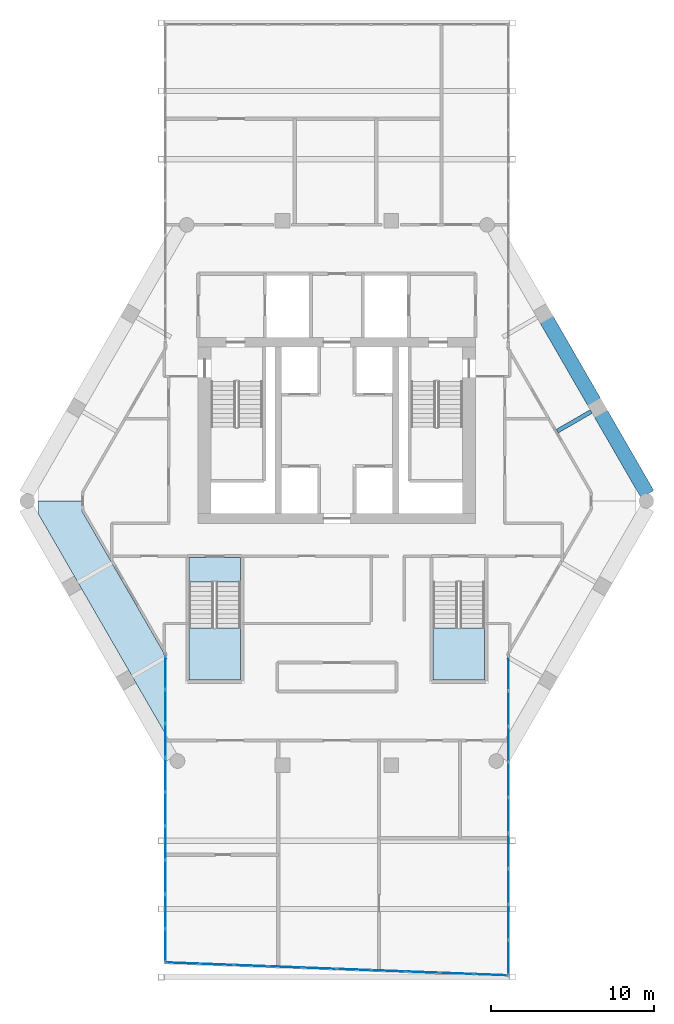
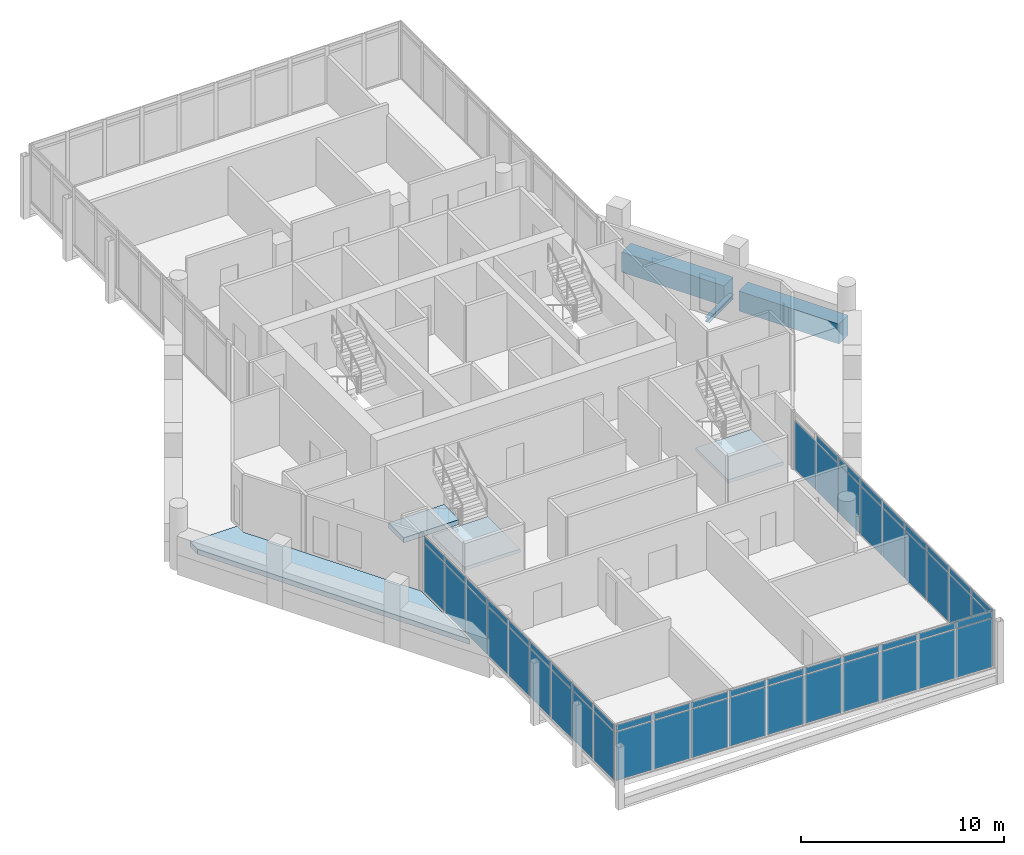
# One storey, part 18 of 25: 55 plates, 4 slabs, 3 beams, 5 elements without a shape of their own.
"""IFC4 building model written with IfcOpenShell, lengths in metres."""

from ifc_helpers import new_model, si_unit, direction, frame, origin, origin_2d, place, context, subcontext, project, spatial, polyline, rectangle, i_section, outline, extrude, material, layer, layer_set, material_profile, profile_set, type_object, element, aggregate, save


model = new_model("IFC4")

# Units and contexts
model_context = context("Model", 3, precision=1e-05, world=origin(), true_north=direction((0.0, 1.0)))
body_context = subcontext(model_context, "Body", "Model", "MODEL_VIEW")
ifc_project = project(units=[si_unit("LENGTHUNIT", "METRE"), si_unit("AREAUNIT", "SQUARE_METRE"), si_unit("VOLUMEUNIT", "CUBIC_METRE"), si_unit("PLANEANGLEUNIT", "RADIAN"), si_unit("MASSUNIT", "GRAM", prefix="KILO")], contexts=[model_context])

# Site, building, storey
site_placement = place(None, origin())
site = spatial("IfcSite", under=ifc_project, at=site_placement, CompositionType="ELEMENT")
building_placement = place(site_placement, origin())
building = spatial("IfcBuilding", under=site, at=building_placement, Name="Ostrander Bayou Hotel Tower", CompositionType="ELEMENT")
storey_placement = place(building_placement, frame((0.0, 0.0, 229.5)))
storey = spatial("IfcBuildingStorey", under=building, at=storey_placement, Name="L57", CompositionType="ELEMENT", Elevation=229.5)

# Beams
ifc_material_1 = material(Name="Steel ASTM A992", Category="steel")
ifc_material_profile_1 = material_profile(ifc_material_1, i_section(OverallWidth=0.25390625, OverallDepth=0.25341796875, WebThickness=0.008544921875, FlangeThickness=0.01416015625, at=origin_2d()))
ifc_profile_set_1 = profile_set([ifc_material_profile_1], Name="Steel ASTM A992")
beam_type_1 = type_object("IfcBeamType", Name="LB2 loggia bracket W10x49", PredefinedType="BEAM", material=ifc_profile_set_1)
beam_1_placement = place(storey_placement, frame((15.583984375, 5.153076171875, -0.4267578125), z_axis=(-0.865980596518, -0.500077600433, 0.0), x_axis=(0.500077600433, -0.865980596518, 0.0)))
element("IfcBeam", 1, at=beam_1_placement, inside=storey, type_object=beam_type_1, Name="LB2 L57 NE1", PredefinedType="BEAM", context=body_context, shape_type="SweptSolid", body=[
    extrude(i_section(OverallWidth=0.25390625, OverallDepth=0.25341796875, WebThickness=0.008544921875, FlangeThickness=0.01416015625, at=origin_2d()), origin(), (0.0, 0.0, 1.0), 2.39990234375),
])
ifc_material_2 = material(Name="Concrete f'c 60 MPa", Category="concrete")
ifc_material_profile_2 = material_profile(ifc_material_2, rectangle(XDim=0.89990234375, YDim=1.199951171875, at=origin_2d()))
ifc_profile_set_2 = profile_set([ifc_material_profile_2], Name="Concrete f'c 60 MPa")
beam_type_2 = type_object("IfcBeamType", Name="SP4 spandrel beam 900 x 1200 mm f'c 60 MPa", PredefinedType="SPANDREL", material=ifc_profile_set_2)
beam_2_placement = place(storey_placement, frame((19.024169921875, 0.0947265625, -0.60009765625), z_axis=(-0.499994028088, 0.866028851642, 0.0), x_axis=(-0.866028851642, -0.499994028088, 0.0)))
element("IfcBeam", 2, at=beam_2_placement, inside=storey, type_object=beam_type_2, Name="SP4 L57 NE-1", PredefinedType="SPANDREL", context=body_context, shape_type="SweptSolid", body=[
    extrude(rectangle(XDim=0.89990234375, YDim=1.199951171875, at=origin_2d()), origin(), (0.0, 0.0, 1.0), 5.6806640625),
])
beam_3_placement = place(storey_placement, frame((15.763916015625, 5.74169921875, -0.60009765625), z_axis=(-0.499997265274, 0.866026982673, 0.0), x_axis=(-0.866026982673, -0.499997265274, 0.0)))
element("IfcBeam", 3, at=beam_3_placement, inside=storey, type_object=beam_type_2, Name="SP4 L57 NE-2", PredefinedType="SPANDREL", context=body_context, shape_type="SweptSolid", body=[
    extrude(rectangle(XDim=0.89990234375, YDim=1.199951171875, at=origin_2d()), origin(), (0.0, 0.0, 1.0), 5.81884765625),
])

# Curtain wall, plates
ifc_material_3 = material(Name="Aluminium and clear glass", Category="aluminium")
curtain_wall_type = type_object("IfcCurtainWallType", Name="CW-BAR glazed wall", PredefinedType="NOTDEFINED", material=ifc_material_3)
curtain_wall_1_placement = place(storey_placement, origin())
curtain_wall_1 = element("IfcCurtainWall", 4, at=curtain_wall_1_placement, inside=storey, type_object=curtain_wall_type, Name="CW-BAR L57:SB5S:E", PredefinedType="NOTDEFINED")
ifc_material_4 = material(Name="Clear laminated glass", Category="glass")
ifc_layer_1 = layer(ifc_material_4, 0.028076171875)
ifc_layer_set_1 = layer_set([ifc_layer_1], Name="CW-BR glazing panel 28 mm")
plate_type = type_object("IfcPlateType", Name="CW-BR glazing panel 28 mm", PredefinedType="CURTAIN_PANEL", material=ifc_layer_set_1)
plate_1_placement = place(storey_placement, frame((-10.51220703125, -10.852294921875, 0.06005859375), z_axis=(0.0, 0.0, 1.0), x_axis=(0.0, -1.0, 0.0)))
plate_1 = element("IfcPlate", 5, at=plate_1_placement, type_object=plate_type, Name="CW-BAR panel 1.1", PredefinedType="CURTAIN_PANEL", context=body_context, shape_type="SweptSolid", body=[
    extrude(rectangle(XDim=2.0, YDim=0.028076171875, at=origin_2d()), origin(), (0.0, 0.0, 1.0), 2.909912109375),
])
plate_2_placement = place(storey_placement, frame((-10.51220703125, -10.852294921875, 3.02978515625), z_axis=(0.0, 0.0, 1.0), x_axis=(0.0, -1.0, 0.0)))
plate_2 = element("IfcPlate", 6, at=plate_2_placement, type_object=plate_type, Name="CW-BAR panel 1.2", PredefinedType="CURTAIN_PANEL", context=body_context, shape_type="SweptSolid", body=[
    extrude(rectangle(XDim=2.0, YDim=0.028076171875, at=origin_2d()), origin(), (0.0, 0.0, 1.0), 0.360107421875),
])
plate_3_placement = place(storey_placement, frame((-10.51220703125, -12.927490234375, 0.06005859375), z_axis=(0.0, 0.0, 1.0), x_axis=(0.0, -1.0, 0.0)))
plate_3 = element("IfcPlate", 7, at=plate_3_placement, type_object=plate_type, Name="CW-BAR panel 2.1", PredefinedType="CURTAIN_PANEL", context=body_context, shape_type="SweptSolid", body=[
    extrude(rectangle(XDim=2.030029296875, YDim=0.028076171875, at=origin_2d()), origin(), (0.0, 0.0, 1.0), 2.909912109375),
])
plate_4_placement = place(storey_placement, frame((-10.51220703125, -12.927490234375, 3.02978515625), z_axis=(0.0, 0.0, 1.0), x_axis=(0.0, -1.0, 0.0)))
plate_4 = element("IfcPlate", 8, at=plate_4_placement, type_object=plate_type, Name="CW-BAR panel 2.2", PredefinedType="CURTAIN_PANEL", context=body_context, shape_type="SweptSolid", body=[
    extrude(rectangle(XDim=2.030029296875, YDim=0.028076171875, at=origin_2d()), origin(), (0.0, 0.0, 1.0), 0.360107421875),
])
plate_5_placement = place(storey_placement, frame((-10.51220703125, -15.017333984375, 0.06005859375), z_axis=(0.0, 0.0, 1.0), x_axis=(0.0, -1.0, 0.0)))
plate_5 = element("IfcPlate", 9, at=plate_5_placement, type_object=plate_type, Name="CW-BAR panel 3.1", PredefinedType="CURTAIN_PANEL", context=body_context, shape_type="SweptSolid", body=[
    extrude(rectangle(XDim=2.030029296875, YDim=0.028076171875, at=origin_2d()), origin(), (0.0, 0.0, 1.0), 2.909912109375),
])
plate_6_placement = place(storey_placement, frame((-10.51220703125, -15.017333984375, 3.02978515625), z_axis=(0.0, 0.0, 1.0), x_axis=(0.0, -1.0, 0.0)))
plate_6 = element("IfcPlate", 10, at=plate_6_placement, type_object=plate_type, Name="CW-BAR panel 3.2", PredefinedType="CURTAIN_PANEL", context=body_context, shape_type="SweptSolid", body=[
    extrude(rectangle(XDim=2.030029296875, YDim=0.028076171875, at=origin_2d()), origin(), (0.0, 0.0, 1.0), 0.360107421875),
])
plate_7_placement = place(storey_placement, frame((-10.51220703125, -17.107421875, 0.06005859375), z_axis=(0.0, 0.0, 1.0), x_axis=(0.0, -1.0, 0.0)))
plate_7 = element("IfcPlate", 11, at=plate_7_placement, type_object=plate_type, Name="CW-BAR panel 4.1", PredefinedType="CURTAIN_PANEL", context=body_context, shape_type="SweptSolid", body=[
    extrude(rectangle(XDim=2.030029296875, YDim=0.028076171875, at=origin_2d()), origin(), (0.0, 0.0, 1.0), 2.909912109375),
])
plate_8_placement = place(storey_placement, frame((-10.51220703125, -17.107421875, 3.02978515625), z_axis=(0.0, 0.0, 1.0), x_axis=(0.0, -1.0, 0.0)))
plate_8 = element("IfcPlate", 12, at=plate_8_placement, type_object=plate_type, Name="CW-BAR panel 4.2", PredefinedType="CURTAIN_PANEL", context=body_context, shape_type="SweptSolid", body=[
    extrude(rectangle(XDim=2.030029296875, YDim=0.028076171875, at=origin_2d()), origin(), (0.0, 0.0, 1.0), 0.360107421875),
])
plate_9_placement = place(storey_placement, frame((-10.51220703125, -19.197509765625, 0.06005859375), z_axis=(0.0, 0.0, 1.0), x_axis=(0.0, -1.0, 0.0)))
plate_9 = element("IfcPlate", 13, at=plate_9_placement, type_object=plate_type, Name="CW-BAR panel 5.1", PredefinedType="CURTAIN_PANEL", context=body_context, shape_type="SweptSolid", body=[
    extrude(rectangle(XDim=2.030029296875, YDim=0.028076171875, at=origin_2d()), origin(), (0.0, 0.0, 1.0), 2.909912109375),
])
plate_10_placement = place(storey_placement, frame((-10.51220703125, -19.197509765625, 3.02978515625), z_axis=(0.0, 0.0, 1.0), x_axis=(0.0, -1.0, 0.0)))
plate_10 = element("IfcPlate", 14, at=plate_10_placement, type_object=plate_type, Name="CW-BAR panel 5.2", PredefinedType="CURTAIN_PANEL", context=body_context, shape_type="SweptSolid", body=[
    extrude(rectangle(XDim=2.030029296875, YDim=0.028076171875, at=origin_2d()), origin(), (0.0, 0.0, 1.0), 0.360107421875),
])
plate_11_placement = place(storey_placement, frame((-10.51220703125, -21.28759765625, 0.06005859375), z_axis=(0.0, 0.0, 1.0), x_axis=(0.0, -1.0, 0.0)))
plate_11 = element("IfcPlate", 15, at=plate_11_placement, type_object=plate_type, Name="CW-BAR panel 6.1", PredefinedType="CURTAIN_PANEL", context=body_context, shape_type="SweptSolid", body=[
    extrude(rectangle(XDim=2.030029296875, YDim=0.028076171875, at=origin_2d()), origin(), (0.0, 0.0, 1.0), 2.909912109375),
])
plate_12_placement = place(storey_placement, frame((-10.51220703125, -21.28759765625, 3.02978515625), z_axis=(0.0, 0.0, 1.0), x_axis=(0.0, -1.0, 0.0)))
plate_12 = element("IfcPlate", 16, at=plate_12_placement, type_object=plate_type, Name="CW-BAR panel 6.2", PredefinedType="CURTAIN_PANEL", context=body_context, shape_type="SweptSolid", body=[
    extrude(rectangle(XDim=2.030029296875, YDim=0.028076171875, at=origin_2d()), origin(), (0.0, 0.0, 1.0), 0.360107421875),
])
plate_13_placement = place(storey_placement, frame((-10.51220703125, -23.377685546875, 0.06005859375), z_axis=(0.0, 0.0, 1.0), x_axis=(0.0, -1.0, 0.0)))
plate_13 = element("IfcPlate", 17, at=plate_13_placement, type_object=plate_type, Name="CW-BAR panel 7.1", PredefinedType="CURTAIN_PANEL", context=body_context, shape_type="SweptSolid", body=[
    extrude(rectangle(XDim=2.030029296875, YDim=0.028076171875, at=origin_2d()), origin(), (0.0, 0.0, 1.0), 2.909912109375),
])
plate_14_placement = place(storey_placement, frame((-10.51220703125, -23.377685546875, 3.02978515625), z_axis=(0.0, 0.0, 1.0), x_axis=(0.0, -1.0, 0.0)))
plate_14 = element("IfcPlate", 18, at=plate_14_placement, type_object=plate_type, Name="CW-BAR panel 7.2", PredefinedType="CURTAIN_PANEL", context=body_context, shape_type="SweptSolid", body=[
    extrude(rectangle(XDim=2.030029296875, YDim=0.028076171875, at=origin_2d()), origin(), (0.0, 0.0, 1.0), 0.360107421875),
])
plate_15_placement = place(storey_placement, frame((-10.51220703125, -25.4677734375, 0.06005859375), z_axis=(0.0, 0.0, 1.0), x_axis=(0.0, -1.0, 0.0)))
plate_15 = element("IfcPlate", 19, at=plate_15_placement, type_object=plate_type, Name="CW-BAR panel 8.1", PredefinedType="CURTAIN_PANEL", context=body_context, shape_type="SweptSolid", body=[
    extrude(rectangle(XDim=2.030029296875, YDim=0.028076171875, at=origin_2d()), origin(), (0.0, 0.0, 1.0), 2.909912109375),
])
plate_16_placement = place(storey_placement, frame((-10.51220703125, -25.4677734375, 3.02978515625), z_axis=(0.0, 0.0, 1.0), x_axis=(0.0, -1.0, 0.0)))
plate_16 = element("IfcPlate", 20, at=plate_16_placement, type_object=plate_type, Name="CW-BAR panel 8.2", PredefinedType="CURTAIN_PANEL", context=body_context, shape_type="SweptSolid", body=[
    extrude(rectangle(XDim=2.030029296875, YDim=0.028076171875, at=origin_2d()), origin(), (0.0, 0.0, 1.0), 0.360107421875),
])
plate_17_placement = place(storey_placement, frame((-10.51220703125, -27.542724609375, 0.06005859375), z_axis=(0.0, 0.0, 1.0), x_axis=(0.0, -1.0, 0.0)))
plate_17 = element("IfcPlate", 21, at=plate_17_placement, type_object=plate_type, Name="CW-BAR panel 9.1", PredefinedType="CURTAIN_PANEL", context=body_context, shape_type="SweptSolid", body=[
    extrude(rectangle(XDim=2.0, YDim=0.028076171875, at=origin_2d()), origin(), (0.0, 0.0, 1.0), 2.909912109375),
])
plate_18_placement = place(storey_placement, frame((-10.51220703125, -27.542724609375, 3.02978515625), z_axis=(0.0, 0.0, 1.0), x_axis=(0.0, -1.0, 0.0)))
plate_18 = element("IfcPlate", 22, at=plate_18_placement, type_object=plate_type, Name="CW-BAR panel 9.2", PredefinedType="CURTAIN_PANEL", context=body_context, shape_type="SweptSolid", body=[
    extrude(rectangle(XDim=2.0, YDim=0.028076171875, at=origin_2d()), origin(), (0.0, 0.0, 1.0), 0.360107421875),
])
aggregate(curtain_wall_1, [plate_1, plate_2, plate_3, plate_4, plate_5, plate_6, plate_7, plate_8, plate_9, plate_10, plate_11, plate_12, plate_13, plate_14, plate_15, plate_16, plate_17, plate_18])

curtain_wall_2_placement = place(storey_placement, origin())
curtain_wall_2 = element("IfcCurtainWall", 23, at=curtain_wall_2_placement, inside=storey, type_object=curtain_wall_type, Name="CW-BAR L57:SB5S:T", PredefinedType="NOTDEFINED")
plate_19_placement = place(storey_placement, frame((-9.446044921875, -28.64306640625, 0.06005859375), z_axis=(0.0, 0.0, 1.0), x_axis=(0.99928692283, -0.037757725854, 0.0)))
plate_19 = element("IfcPlate", 24, at=plate_19_placement, type_object=plate_type, Name="CW-BAR panel 1.1", PredefinedType="CURTAIN_PANEL", context=body_context, shape_type="SweptSolid", body=[
    extrude(rectangle(XDim=2.013916015625, YDim=0.028076171875, at=origin_2d()), origin(), (0.0, 0.0, 1.0), 2.909912109375),
])
plate_20_placement = place(storey_placement, frame((-9.446044921875, -28.64306640625, 3.02978515625), z_axis=(0.0, 0.0, 1.0), x_axis=(0.99928692283, -0.037757725854, 0.0)))
plate_20 = element("IfcPlate", 25, at=plate_20_placement, type_object=plate_type, Name="CW-BAR panel 1.2", PredefinedType="CURTAIN_PANEL", context=body_context, shape_type="SweptSolid", body=[
    extrude(rectangle(XDim=2.013916015625, YDim=0.028076171875, at=origin_2d()), origin(), (0.0, 0.0, 1.0), 0.360107421875),
])
plate_21_placement = place(storey_placement, frame((-7.358642578125, -28.721923828125, 0.06005859375), z_axis=(0.0, 0.0, 1.0), x_axis=(0.99928692283, -0.037757725854, 0.0)))
plate_21 = element("IfcPlate", 26, at=plate_21_placement, type_object=plate_type, Name="CW-BAR panel 2.1", PredefinedType="CURTAIN_PANEL", context=body_context, shape_type="SweptSolid", body=[
    extrude(rectangle(XDim=2.0439453125, YDim=0.028076171875, at=origin_2d()), origin(), (0.0, 0.0, 1.0), 2.909912109375),
])
plate_22_placement = place(storey_placement, frame((-7.358642578125, -28.721923828125, 3.02978515625), z_axis=(0.0, 0.0, 1.0), x_axis=(0.99928692283, -0.037757725854, 0.0)))
plate_22 = element("IfcPlate", 27, at=plate_22_placement, type_object=plate_type, Name="CW-BAR panel 2.2", PredefinedType="CURTAIN_PANEL", context=body_context, shape_type="SweptSolid", body=[
    extrude(rectangle(XDim=2.0439453125, YDim=0.028076171875, at=origin_2d()), origin(), (0.0, 0.0, 1.0), 0.360107421875),
])
plate_23_placement = place(storey_placement, frame((-5.256103515625, -28.801513671875, 0.06005859375), z_axis=(0.0, 0.0, 1.0), x_axis=(0.99928692283, -0.037757725854, 0.0)))
plate_23 = element("IfcPlate", 28, at=plate_23_placement, type_object=plate_type, Name="CW-BAR panel 3.1", PredefinedType="CURTAIN_PANEL", context=body_context, shape_type="SweptSolid", body=[
    extrude(rectangle(XDim=2.0439453125, YDim=0.028076171875, at=origin_2d()), origin(), (0.0, 0.0, 1.0), 2.909912109375),
])
plate_24_placement = place(storey_placement, frame((-5.256103515625, -28.801513671875, 3.02978515625), z_axis=(0.0, 0.0, 1.0), x_axis=(0.99928692283, -0.037757725854, 0.0)))
plate_24 = element("IfcPlate", 29, at=plate_24_placement, type_object=plate_type, Name="CW-BAR panel 3.2", PredefinedType="CURTAIN_PANEL", context=body_context, shape_type="SweptSolid", body=[
    extrude(rectangle(XDim=2.0439453125, YDim=0.028076171875, at=origin_2d()), origin(), (0.0, 0.0, 1.0), 0.360107421875),
])
plate_25_placement = place(storey_placement, frame((-3.153564453125, -28.880859375, 0.06005859375), z_axis=(0.0, 0.0, 1.0), x_axis=(0.99928692283, -0.037757725854, 0.0)))
plate_25 = element("IfcPlate", 30, at=plate_25_placement, type_object=plate_type, Name="CW-BAR panel 4.1", PredefinedType="CURTAIN_PANEL", context=body_context, shape_type="SweptSolid", body=[
    extrude(rectangle(XDim=2.0439453125, YDim=0.028076171875, at=origin_2d()), origin(), (0.0, 0.0, 1.0), 2.909912109375),
])
plate_26_placement = place(storey_placement, frame((-3.153564453125, -28.880859375, 3.02978515625), z_axis=(0.0, 0.0, 1.0), x_axis=(0.99928692283, -0.037757725854, 0.0)))
plate_26 = element("IfcPlate", 31, at=plate_26_placement, type_object=plate_type, Name="CW-BAR panel 4.2", PredefinedType="CURTAIN_PANEL", context=body_context, shape_type="SweptSolid", body=[
    extrude(rectangle(XDim=2.0439453125, YDim=0.028076171875, at=origin_2d()), origin(), (0.0, 0.0, 1.0), 0.360107421875),
])
plate_27_placement = place(storey_placement, frame((-1.05126953125, -28.960205078125, 0.06005859375), z_axis=(0.0, 0.0, 1.0), x_axis=(0.99928692283, -0.037757725854, 0.0)))
plate_27 = element("IfcPlate", 32, at=plate_27_placement, type_object=plate_type, Name="CW-BAR panel 5.1", PredefinedType="CURTAIN_PANEL", context=body_context, shape_type="SweptSolid", body=[
    extrude(rectangle(XDim=2.0439453125, YDim=0.028076171875, at=origin_2d()), origin(), (0.0, 0.0, 1.0), 2.909912109375),
])
plate_28_placement = place(storey_placement, frame((-1.05126953125, -28.960205078125, 3.02978515625), z_axis=(0.0, 0.0, 1.0), x_axis=(0.99928692283, -0.037757725854, 0.0)))
plate_28 = element("IfcPlate", 33, at=plate_28_placement, type_object=plate_type, Name="CW-BAR panel 5.2", PredefinedType="CURTAIN_PANEL", context=body_context, shape_type="SweptSolid", body=[
    extrude(rectangle(XDim=2.0439453125, YDim=0.028076171875, at=origin_2d()), origin(), (0.0, 0.0, 1.0), 0.360107421875),
])
plate_29_placement = place(storey_placement, frame((1.05126953125, -29.039794921875, 0.06005859375), z_axis=(0.0, 0.0, 1.0), x_axis=(0.99928692283, -0.037757725854, 0.0)))
plate_29 = element("IfcPlate", 34, at=plate_29_placement, type_object=plate_type, Name="CW-BAR panel 6.1", PredefinedType="CURTAIN_PANEL", context=body_context, shape_type="SweptSolid", body=[
    extrude(rectangle(XDim=2.0439453125, YDim=0.028076171875, at=origin_2d()), origin(), (0.0, 0.0, 1.0), 2.909912109375),
])
plate_30_placement = place(storey_placement, frame((1.05126953125, -29.039794921875, 3.02978515625), z_axis=(0.0, 0.0, 1.0), x_axis=(0.99928692283, -0.037757725854, 0.0)))
plate_30 = element("IfcPlate", 35, at=plate_30_placement, type_object=plate_type, Name="CW-BAR panel 6.2", PredefinedType="CURTAIN_PANEL", context=body_context, shape_type="SweptSolid", body=[
    extrude(rectangle(XDim=2.0439453125, YDim=0.028076171875, at=origin_2d()), origin(), (0.0, 0.0, 1.0), 0.360107421875),
])
plate_31_placement = place(storey_placement, frame((3.153564453125, -29.119140625, 0.06005859375), z_axis=(0.0, 0.0, 1.0), x_axis=(0.99928692283, -0.037757725854, 0.0)))
plate_31 = element("IfcPlate", 36, at=plate_31_placement, type_object=plate_type, Name="CW-BAR panel 7.1", PredefinedType="CURTAIN_PANEL", context=body_context, shape_type="SweptSolid", body=[
    extrude(rectangle(XDim=2.0439453125, YDim=0.028076171875, at=origin_2d()), origin(), (0.0, 0.0, 1.0), 2.909912109375),
])
plate_32_placement = place(storey_placement, frame((3.153564453125, -29.119140625, 3.02978515625), z_axis=(0.0, 0.0, 1.0), x_axis=(0.99928692283, -0.037757725854, 0.0)))
plate_32 = element("IfcPlate", 37, at=plate_32_placement, type_object=plate_type, Name="CW-BAR panel 7.2", PredefinedType="CURTAIN_PANEL", context=body_context, shape_type="SweptSolid", body=[
    extrude(rectangle(XDim=2.0439453125, YDim=0.028076171875, at=origin_2d()), origin(), (0.0, 0.0, 1.0), 0.360107421875),
])
plate_33_placement = place(storey_placement, frame((5.256103515625, -29.198486328125, 0.06005859375), z_axis=(0.0, 0.0, 1.0), x_axis=(0.99928692283, -0.037757725854, 0.0)))
plate_33 = element("IfcPlate", 38, at=plate_33_placement, type_object=plate_type, Name="CW-BAR panel 8.1", PredefinedType="CURTAIN_PANEL", context=body_context, shape_type="SweptSolid", body=[
    extrude(rectangle(XDim=2.0439453125, YDim=0.028076171875, at=origin_2d()), origin(), (0.0, 0.0, 1.0), 2.909912109375),
])
plate_34_placement = place(storey_placement, frame((5.256103515625, -29.198486328125, 3.02978515625), z_axis=(0.0, 0.0, 1.0), x_axis=(0.99928692283, -0.037757725854, 0.0)))
plate_34 = element("IfcPlate", 39, at=plate_34_placement, type_object=plate_type, Name="CW-BAR panel 8.2", PredefinedType="CURTAIN_PANEL", context=body_context, shape_type="SweptSolid", body=[
    extrude(rectangle(XDim=2.0439453125, YDim=0.028076171875, at=origin_2d()), origin(), (0.0, 0.0, 1.0), 0.360107421875),
])
plate_35_placement = place(storey_placement, frame((7.358642578125, -29.278076171875, 0.06005859375), z_axis=(0.0, 0.0, 1.0), x_axis=(0.99928692283, -0.037757725854, 0.0)))
plate_35 = element("IfcPlate", 40, at=plate_35_placement, type_object=plate_type, Name="CW-BAR panel 9.1", PredefinedType="CURTAIN_PANEL", context=body_context, shape_type="SweptSolid", body=[
    extrude(rectangle(XDim=2.0439453125, YDim=0.028076171875, at=origin_2d()), origin(), (0.0, 0.0, 1.0), 2.909912109375),
])
plate_36_placement = place(storey_placement, frame((7.358642578125, -29.278076171875, 3.02978515625), z_axis=(0.0, 0.0, 1.0), x_axis=(0.99928692283, -0.037757725854, 0.0)))
plate_36 = element("IfcPlate", 41, at=plate_36_placement, type_object=plate_type, Name="CW-BAR panel 9.2", PredefinedType="CURTAIN_PANEL", context=body_context, shape_type="SweptSolid", body=[
    extrude(rectangle(XDim=2.0439453125, YDim=0.028076171875, at=origin_2d()), origin(), (0.0, 0.0, 1.0), 0.360107421875),
])
plate_37_placement = place(storey_placement, frame((9.446044921875, -29.35693359375, 0.06005859375), z_axis=(0.0, 0.0, 1.0), x_axis=(0.99928692283, -0.037757725854, 0.0)))
plate_37 = element("IfcPlate", 42, at=plate_37_placement, type_object=plate_type, Name="CW-BAR panel 10.1", PredefinedType="CURTAIN_PANEL", context=body_context, shape_type="SweptSolid", body=[
    extrude(rectangle(XDim=2.013916015625, YDim=0.028076171875, at=origin_2d()), origin(), (0.0, 0.0, 1.0), 2.909912109375),
])
plate_38_placement = place(storey_placement, frame((9.446044921875, -29.35693359375, 3.02978515625), z_axis=(0.0, 0.0, 1.0), x_axis=(0.99928692283, -0.037757725854, 0.0)))
plate_38 = element("IfcPlate", 43, at=plate_38_placement, type_object=plate_type, Name="CW-BAR panel 10.2", PredefinedType="CURTAIN_PANEL", context=body_context, shape_type="SweptSolid", body=[
    extrude(rectangle(XDim=2.013916015625, YDim=0.028076171875, at=origin_2d()), origin(), (0.0, 0.0, 1.0), 0.360107421875),
])
aggregate(curtain_wall_2, [plate_19, plate_20, plate_21, plate_22, plate_23, plate_24, plate_25, plate_26, plate_27, plate_28, plate_29, plate_30, plate_31, plate_32, plate_33, plate_34, plate_35, plate_36, plate_37, plate_38])

curtain_wall_3_placement = place(storey_placement, origin())
curtain_wall_3 = element("IfcCurtainWall", 44, at=curtain_wall_3_placement, inside=storey, type_object=curtain_wall_type, Name="CW-BAR L57:SB5S:W", PredefinedType="NOTDEFINED")
plate_39_placement = place(storey_placement, frame((10.51220703125, -10.896484375, 0.06005859375), z_axis=(0.0, 0.0, 1.0), x_axis=(0.0, -1.0, 0.0)))
plate_39 = element("IfcPlate", 45, at=plate_39_placement, type_object=plate_type, Name="CW-BAR panel 1.1", PredefinedType="CURTAIN_PANEL", context=body_context, shape_type="SweptSolid", body=[
    extrude(rectangle(XDim=2.08837890625, YDim=0.028076171875, at=origin_2d()), origin(), (0.0, 0.0, 1.0), 2.909912109375),
])
plate_40_placement = place(storey_placement, frame((10.51220703125, -13.059814453125, 0.06005859375), z_axis=(0.0, 0.0, 1.0), x_axis=(0.0, -1.0, 0.0)))
plate_40 = element("IfcPlate", 46, at=plate_40_placement, type_object=plate_type, Name="CW-BAR panel 2.1", PredefinedType="CURTAIN_PANEL", context=body_context, shape_type="SweptSolid", body=[
    extrude(rectangle(XDim=2.118408203125, YDim=0.028076171875, at=origin_2d()), origin(), (0.0, 0.0, 1.0), 2.909912109375),
])
plate_41_placement = place(storey_placement, frame((10.51220703125, -13.059814453125, 3.02978515625), z_axis=(0.0, 0.0, 1.0), x_axis=(0.0, -1.0, 0.0)))
plate_41 = element("IfcPlate", 47, at=plate_41_placement, type_object=plate_type, Name="CW-BAR panel 2.2", PredefinedType="CURTAIN_PANEL", context=body_context, shape_type="SweptSolid", body=[
    extrude(rectangle(XDim=2.118408203125, YDim=0.028076171875, at=origin_2d()), origin(), (0.0, 0.0, 1.0), 0.360107421875),
])
plate_42_placement = place(storey_placement, frame((10.51220703125, -15.238037109375, 0.06005859375), z_axis=(0.0, 0.0, 1.0), x_axis=(0.0, -1.0, 0.0)))
plate_42 = element("IfcPlate", 48, at=plate_42_placement, type_object=plate_type, Name="CW-BAR panel 3.1", PredefinedType="CURTAIN_PANEL", context=body_context, shape_type="SweptSolid", body=[
    extrude(rectangle(XDim=2.118408203125, YDim=0.028076171875, at=origin_2d()), origin(), (0.0, 0.0, 1.0), 2.909912109375),
])
plate_43_placement = place(storey_placement, frame((10.51220703125, -15.238037109375, 3.02978515625), z_axis=(0.0, 0.0, 1.0), x_axis=(0.0, -1.0, 0.0)))
plate_43 = element("IfcPlate", 49, at=plate_43_placement, type_object=plate_type, Name="CW-BAR panel 3.2", PredefinedType="CURTAIN_PANEL", context=body_context, shape_type="SweptSolid", body=[
    extrude(rectangle(XDim=2.118408203125, YDim=0.028076171875, at=origin_2d()), origin(), (0.0, 0.0, 1.0), 0.360107421875),
])
plate_44_placement = place(storey_placement, frame((10.51220703125, -17.41650390625, 0.06005859375), z_axis=(0.0, 0.0, 1.0), x_axis=(0.0, -1.0, 0.0)))
plate_44 = element("IfcPlate", 50, at=plate_44_placement, type_object=plate_type, Name="CW-BAR panel 4.1", PredefinedType="CURTAIN_PANEL", context=body_context, shape_type="SweptSolid", body=[
    extrude(rectangle(XDim=2.118408203125, YDim=0.028076171875, at=origin_2d()), origin(), (0.0, 0.0, 1.0), 2.909912109375),
])
plate_45_placement = place(storey_placement, frame((10.51220703125, -17.41650390625, 3.02978515625), z_axis=(0.0, 0.0, 1.0), x_axis=(0.0, -1.0, 0.0)))
plate_45 = element("IfcPlate", 51, at=plate_45_placement, type_object=plate_type, Name="CW-BAR panel 4.2", PredefinedType="CURTAIN_PANEL", context=body_context, shape_type="SweptSolid", body=[
    extrude(rectangle(XDim=2.118408203125, YDim=0.028076171875, at=origin_2d()), origin(), (0.0, 0.0, 1.0), 0.360107421875),
])
plate_46_placement = place(storey_placement, frame((10.51220703125, -19.5947265625, 0.06005859375), z_axis=(0.0, 0.0, 1.0), x_axis=(0.0, -1.0, 0.0)))
plate_46 = element("IfcPlate", 52, at=plate_46_placement, type_object=plate_type, Name="CW-BAR panel 5.1", PredefinedType="CURTAIN_PANEL", context=body_context, shape_type="SweptSolid", body=[
    extrude(rectangle(XDim=2.118408203125, YDim=0.028076171875, at=origin_2d()), origin(), (0.0, 0.0, 1.0), 2.909912109375),
])
plate_47_placement = place(storey_placement, frame((10.51220703125, -19.5947265625, 3.02978515625), z_axis=(0.0, 0.0, 1.0), x_axis=(0.0, -1.0, 0.0)))
plate_47 = element("IfcPlate", 53, at=plate_47_placement, type_object=plate_type, Name="CW-BAR panel 5.2", PredefinedType="CURTAIN_PANEL", context=body_context, shape_type="SweptSolid", body=[
    extrude(rectangle(XDim=2.118408203125, YDim=0.028076171875, at=origin_2d()), origin(), (0.0, 0.0, 1.0), 0.360107421875),
])
plate_48_placement = place(storey_placement, frame((10.51220703125, -21.773193359375, 0.06005859375), z_axis=(0.0, 0.0, 1.0), x_axis=(0.0, -1.0, 0.0)))
plate_48 = element("IfcPlate", 54, at=plate_48_placement, type_object=plate_type, Name="CW-BAR panel 6.1", PredefinedType="CURTAIN_PANEL", context=body_context, shape_type="SweptSolid", body=[
    extrude(rectangle(XDim=2.118408203125, YDim=0.028076171875, at=origin_2d()), origin(), (0.0, 0.0, 1.0), 2.909912109375),
])
plate_49_placement = place(storey_placement, frame((10.51220703125, -21.773193359375, 3.02978515625), z_axis=(0.0, 0.0, 1.0), x_axis=(0.0, -1.0, 0.0)))
plate_49 = element("IfcPlate", 55, at=plate_49_placement, type_object=plate_type, Name="CW-BAR panel 6.2", PredefinedType="CURTAIN_PANEL", context=body_context, shape_type="SweptSolid", body=[
    extrude(rectangle(XDim=2.118408203125, YDim=0.028076171875, at=origin_2d()), origin(), (0.0, 0.0, 1.0), 0.360107421875),
])
plate_50_placement = place(storey_placement, frame((10.51220703125, -23.951416015625, 0.06005859375), z_axis=(0.0, 0.0, 1.0), x_axis=(0.0, -1.0, 0.0)))
plate_50 = element("IfcPlate", 56, at=plate_50_placement, type_object=plate_type, Name="CW-BAR panel 7.1", PredefinedType="CURTAIN_PANEL", context=body_context, shape_type="SweptSolid", body=[
    extrude(rectangle(XDim=2.118408203125, YDim=0.028076171875, at=origin_2d()), origin(), (0.0, 0.0, 1.0), 2.909912109375),
])
plate_51_placement = place(storey_placement, frame((10.51220703125, -23.951416015625, 3.02978515625), z_axis=(0.0, 0.0, 1.0), x_axis=(0.0, -1.0, 0.0)))
plate_51 = element("IfcPlate", 57, at=plate_51_placement, type_object=plate_type, Name="CW-BAR panel 7.2", PredefinedType="CURTAIN_PANEL", context=body_context, shape_type="SweptSolid", body=[
    extrude(rectangle(XDim=2.118408203125, YDim=0.028076171875, at=origin_2d()), origin(), (0.0, 0.0, 1.0), 0.360107421875),
])
plate_52_placement = place(storey_placement, frame((10.51220703125, -26.129638671875, 0.06005859375), z_axis=(0.0, 0.0, 1.0), x_axis=(0.0, -1.0, 0.0)))
plate_52 = element("IfcPlate", 58, at=plate_52_placement, type_object=plate_type, Name="CW-BAR panel 8.1", PredefinedType="CURTAIN_PANEL", context=body_context, shape_type="SweptSolid", body=[
    extrude(rectangle(XDim=2.118408203125, YDim=0.028076171875, at=origin_2d()), origin(), (0.0, 0.0, 1.0), 2.909912109375),
])
plate_53_placement = place(storey_placement, frame((10.51220703125, -26.129638671875, 3.02978515625), z_axis=(0.0, 0.0, 1.0), x_axis=(0.0, -1.0, 0.0)))
plate_53 = element("IfcPlate", 59, at=plate_53_placement, type_object=plate_type, Name="CW-BAR panel 8.2", PredefinedType="CURTAIN_PANEL", context=body_context, shape_type="SweptSolid", body=[
    extrude(rectangle(XDim=2.118408203125, YDim=0.028076171875, at=origin_2d()), origin(), (0.0, 0.0, 1.0), 0.360107421875),
])
plate_54_placement = place(storey_placement, frame((10.51220703125, -28.29296875, 0.06005859375), z_axis=(0.0, 0.0, 1.0), x_axis=(0.0, -1.0, 0.0)))
plate_54 = element("IfcPlate", 60, at=plate_54_placement, type_object=plate_type, Name="CW-BAR panel 9.1", PredefinedType="CURTAIN_PANEL", context=body_context, shape_type="SweptSolid", body=[
    extrude(rectangle(XDim=2.08837890625, YDim=0.028076171875, at=origin_2d()), origin(), (0.0, 0.0, 1.0), 2.909912109375),
])
plate_55_placement = place(storey_placement, frame((10.51220703125, -28.29296875, 3.02978515625), z_axis=(0.0, 0.0, 1.0), x_axis=(0.0, -1.0, 0.0)))
plate_55 = element("IfcPlate", 61, at=plate_55_placement, type_object=plate_type, Name="CW-BAR panel 9.2", PredefinedType="CURTAIN_PANEL", context=body_context, shape_type="SweptSolid", body=[
    extrude(rectangle(XDim=2.08837890625, YDim=0.028076171875, at=origin_2d()), origin(), (0.0, 0.0, 1.0), 0.360107421875),
])
aggregate(curtain_wall_3, [plate_39, plate_40, plate_41, plate_42, plate_43, plate_44, plate_45, plate_46, plate_47, plate_48, plate_49, plate_50, plate_51, plate_52, plate_53, plate_54, plate_55])

# Slabs
ifc_material_5 = material(Name="Concrete f'c 40 MPa", Category="concrete")
ifc_layer_2 = layer(ifc_material_5, 0.300048828125)
ifc_layer_set_2 = layer_set([ifc_layer_2], Name="SL1 floor slab 300 mm f'c 40 MPa")
slab_type_1 = type_object("IfcSlabType", Name="SL1 floor slab 300 mm f'c 40 MPa", PredefinedType="FLOOR", material=ifc_layer_set_2)
slab_1_placement = place(storey_placement, frame((0.0, 0.0, -0.300048828125)))
element("IfcSlab", 62, at=slab_1_placement, inside=storey, type_object=slab_type_1, Name="cslab:L57:005", PredefinedType="FLOOR", context=body_context, shape_type="SweptSolid", body=[
    extrude(outline(polyline([(-5.89990234375, -5.300048828125), (-5.89990234375, -3.800048828125), (-9.050048828125, -3.800048828125), (-9.050048828125, -5.300048828125), (-5.89990234375, -5.300048828125)])), origin(), (0.0, 0.0, 1.0), 0.300048828125),
])
ifc_material_6 = material(Name="Concrete f'c 40 MPa", Category="concrete")
ifc_layer_3 = layer(ifc_material_6, 0.300048828125)
ifc_layer_set_3 = layer_set([ifc_layer_3], Name="SL4 loggia slab 300 mm f'c 40 MPa")
slab_type_2 = type_object("IfcSlabType", Name="SL4 loggia slab 300 mm f'c 40 MPa", PredefinedType="FLOOR", material=ifc_layer_set_3)
slab_2_placement = place(storey_placement, frame((0.0, 0.0, -0.300048828125)))
element("IfcSlab", 63, at=slab_2_placement, inside=storey, type_object=slab_type_2, Name="SL4 LOGGIA L57 SW 1", PredefinedType="FLOOR", context=body_context, shape_type="SweptSolid", body=[
    extrude(outline(polyline([(-10.587158203125, -11.220947265625), (-10.587158203125, -14.46240234375), (-16.077392578125, -4.952880859375), (-17.949462890625, -1.71044921875), (-18.315185546875, -1.077392578125), (-18.315185546875, -0.327392578125), (-15.63037109375, -0.327392578125), (-15.63037109375, -0.92724609375), (-10.587158203125, -9.662353515625), (-10.587158203125, -11.220947265625)])), origin(), (0.0, 0.0, 1.0), 0.300048828125),
])

# Stair, slab
ifc_material_7 = material(Name="Concrete f'c 45 MPa", Category="concrete")
stair_type = type_object("IfcStairType", Name="ST1 exit stair 1500 mm f'c 45 MPa", PredefinedType="HALF_TURN_STAIR", material=ifc_material_7)
stair_1_placement = place(storey_placement, origin())
stair_1 = element("IfcStair", 64, at=stair_1_placement, inside=storey, type_object=stair_type, Name="L57 exit stair C", PredefinedType="HALF_TURN_STAIR")
ifc_material_8 = material(Name="Concrete f'c 45 MPa", Category="concrete")
ifc_layer_4 = layer(ifc_material_8, 0.199951171875)
ifc_layer_set_4 = layer_set([ifc_layer_4], Name="SL8 stair landing 200 mm f'c 45 MPa")
slab_type_3 = type_object("IfcSlabType", Name="SL8 stair landing 200 mm f'c 45 MPa", PredefinedType="LANDING", material=ifc_layer_set_4)
slab_3_placement = place(storey_placement, frame((0.0, 0.0, 1.675048828125)))
slab_3 = element("IfcSlab", 65, at=slab_3_placement, type_object=slab_type_3, Name="STC landing 1", PredefinedType="LANDING", context=body_context, shape_type="SweptSolid", body=[
    extrude(outline(polyline([(5.89990234375, -8.10009765625), (5.89990234375, -11.300048828125), (9.050048828125, -11.300048828125), (9.050048828125, -8.10009765625), (5.89990234375, -8.10009765625)])), origin(), (0.0, 0.0, 1.0), 0.199951171875),
])
aggregate(stair_1, [slab_3])

stair_2_placement = place(storey_placement, origin())
stair_2 = element("IfcStair", 66, at=stair_2_placement, inside=storey, type_object=stair_type, Name="L57 exit stair D", PredefinedType="HALF_TURN_STAIR")
slab_4_placement = place(storey_placement, frame((0.0, 0.0, 1.675048828125)))
slab_4 = element("IfcSlab", 67, at=slab_4_placement, type_object=slab_type_3, Name="STD landing 1", PredefinedType="LANDING", context=body_context, shape_type="SweptSolid", body=[
    extrude(outline(polyline([(-9.050048828125, -8.10009765625), (-9.050048828125, -11.300048828125), (-5.89990234375, -11.300048828125), (-5.89990234375, -8.10009765625), (-9.050048828125, -8.10009765625)])), origin(), (0.0, 0.0, 1.0), 0.199951171875),
])
aggregate(stair_2, [slab_4])

save(model, "model.ifc")
